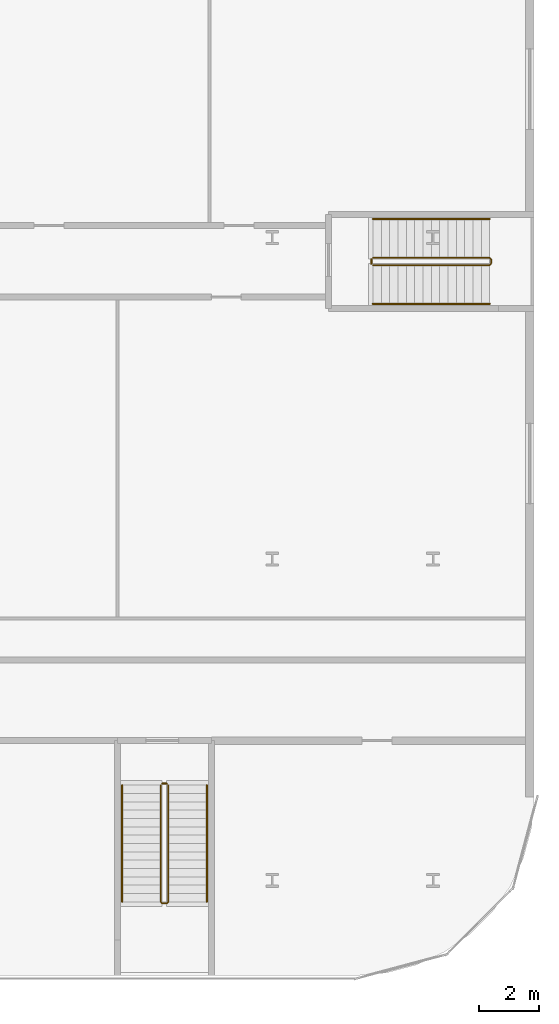
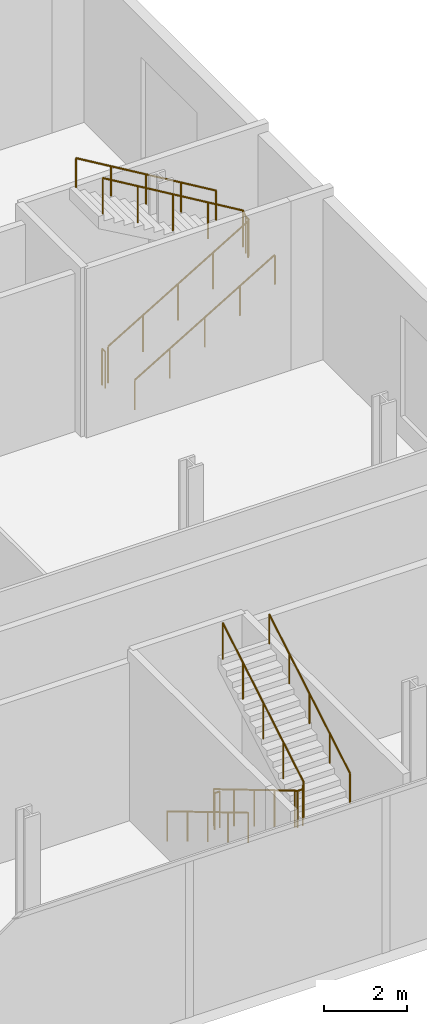
# One storey, part 41 of 47: 8 railings.
"""IFC4 building model written with IfcOpenShell, lengths in metres."""

from ifc_helpers import new_model, si_unit, direction, frame, origin, origin_2d, place, context, subcontext, project, spatial, circle, extrude, material, type_object, element, save


model = new_model("IFC4")

# Units and contexts
model_context = context("Model", 3, precision=1e-05, world=origin(), true_north=direction((0.0, 1.0)))
body_context = subcontext(model_context, "Body", "Model", "MODEL_VIEW")
ifc_project = project(units=[si_unit("LENGTHUNIT", "METRE"), si_unit("AREAUNIT", "SQUARE_METRE"), si_unit("VOLUMEUNIT", "CUBIC_METRE"), si_unit("PLANEANGLEUNIT", "RADIAN"), si_unit("MASSUNIT", "GRAM", prefix="KILO")], contexts=[model_context])

# Site, building, storey
site_placement = place(None, origin())
site = spatial("IfcSite", under=ifc_project, at=site_placement, CompositionType="ELEMENT")
building_placement = place(site_placement, origin())
building = spatial("IfcBuilding", under=site, at=building_placement, Name="Kheshtan School and Residences Tower", CompositionType="ELEMENT")
storey_placement = place(building_placement, frame((0.0, 0.0, 7.5)))
storey = spatial("IfcBuildingStorey", under=building, at=storey_placement, Name="L01", CompositionType="ELEMENT", Elevation=7.5)

# Railings
ifc_material_1 = material(Name="Stainless steel balustrade", Category="steel")
railing_type_1 = type_object("IfcRailingType", Name="Stair guard 1100", PredefinedType="GUARDRAIL", material=ifc_material_1)
railing_1_placement = place(storey_placement, frame((119.449951171875, 16.39990234375, 0.166748046875)))
element("IfcRailing", 1, at=railing_1_placement, inside=storey, type_object=railing_type_1, Name="L01 PS-118-010 stair guard 1", PredefinedType="GUARDRAIL", context=body_context, shape_type="SweptSolid", body=[
    extrude(circle(Radius=0.02392578125, at=origin_2d()), frame((0.0, 0.0, 1.076171875), z_axis=(0.0, -0.859296244711, 0.511478214419), x_axis=(1.0, 0.0, 0.0)), (0.0, 0.0, 1.0), 4.561767578125),
    extrude(circle(Radius=0.02392578125, at=origin_2d()), frame((0.0, -3.919921875, 3.4091796875), z_axis=(0.707106781187, -0.707106781187, 0.0), x_axis=(0.707106781187, 0.707106781187, 0.0)), (0.0, 0.0, 1.0), 0.07080078125),
    extrude(circle(Radius=0.02392578125, at=origin_2d()), frame((0.050048828125, -3.969970703125, 3.4091796875), z_axis=(1.0, 0.0, 0.0), x_axis=(0.0, 1.0, 0.0)), (0.0, 0.0, 1.0), 0.14990234375),
    extrude(circle(Radius=0.02392578125, at=origin_2d()), frame((0.199951171875, -3.969970703125, 3.4091796875), z_axis=(0.27628659633, 0.27628659633, 0.920506074601), x_axis=(-0.707106781187, 0.707106781187, 0.0)), (0.0, 0.0, 1.0), 0.18115234375),
    extrude(circle(Radius=0.02392578125, at=origin_2d()), frame((0.25, -3.919921875, 3.576171875), z_axis=(0.0, 0.859296244711, 0.511478214419), x_axis=(-1.0, 0.0, 0.0)), (0.0, 0.0, 1.0), 4.561767578125),
    extrude(circle(Radius=0.02099609375, at=origin_2d()), origin(), (0.0, 0.0, 1.0), 1.052001953125),
    extrude(circle(Radius=0.02099609375, at=origin_2d()), frame((0.0, -0.97998046875, 0.583251953125)), (0.0, 0.0, 1.0), 1.052001953125),
    extrude(circle(Radius=0.02099609375, at=origin_2d()), frame((0.0, -1.9599609375, 1.16650390625)), (0.0, 0.0, 1.0), 1.052001953125),
    extrude(circle(Radius=0.02099609375, at=origin_2d()), frame((0.0, -2.93994140625, 1.75)), (0.0, 0.0, 1.0), 1.052001953125),
    extrude(circle(Radius=0.02099609375, at=origin_2d()), frame((0.0, -3.919921875, 2.333251953125)), (0.0, 0.0, 1.0), 1.052001953125),
    extrude(circle(Radius=0.02099609375, at=origin_2d()), frame((0.050048828125, -3.969970703125, 2.333251953125)), (0.0, 0.0, 1.0), 1.052001953125),
    extrude(circle(Radius=0.02099609375, at=origin_2d()), frame((0.199951171875, -3.969970703125, 2.333251953125)), (0.0, 0.0, 1.0), 1.052001953125),
    extrude(circle(Radius=0.02099609375, at=origin_2d()), frame((0.25, -3.919921875, 2.5)), (0.0, 0.0, 1.0), 1.052001953125),
    extrude(circle(Radius=0.02099609375, at=origin_2d()), frame((0.25, -2.93994140625, 3.083251953125)), (0.0, 0.0, 1.0), 1.052001953125),
    extrude(circle(Radius=0.02099609375, at=origin_2d()), frame((0.25, -1.9599609375, 3.66650390625)), (0.0, 0.0, 1.0), 1.052001953125),
    extrude(circle(Radius=0.02099609375, at=origin_2d()), frame((0.25, -0.97998046875, 4.25)), (0.0, 0.0, 1.0), 1.052001953125),
    extrude(circle(Radius=0.02099609375, at=origin_2d()), frame((0.25, 0.0, 4.833251953125)), (0.0, 0.0, 1.0), 1.052001953125),
])
railing_2_placement = place(storey_placement, frame((119.5, 16.449951171875, 0.0)))
element("IfcRailing", 2, at=railing_2_placement, inside=storey, type_object=railing_type_1, Name="L01 PS-118-010 stair guard 2", PredefinedType="GUARDRAIL", context=body_context, shape_type="SweptSolid", body=[
    extrude(circle(Radius=0.02392578125, at=origin_2d()), frame((0.0, 0.0, 1.076171875), z_axis=(1.0, 0.0, 0.0), x_axis=(0.0, 1.0, 0.0)), (0.0, 0.0, 1.0), 0.14990234375),
    extrude(circle(Radius=0.02099609375, at=origin_2d()), origin(), (0.0, 0.0, 1.0), 1.052001953125),
    extrude(circle(Radius=0.02099609375, at=origin_2d()), frame((0.14990234375, 0.0, 0.0)), (0.0, 0.0, 1.0), 1.052001953125),
])
railing_3_placement = place(storey_placement, frame((126.580078125, 33.875, 0.166748046875)))
element("IfcRailing", 3, at=railing_3_placement, inside=storey, type_object=railing_type_1, Name="L01 PS-125-032 stair guard 1", PredefinedType="GUARDRAIL", context=body_context, shape_type="SweptSolid", body=[
    extrude(circle(Radius=0.02392578125, at=origin_2d()), frame((0.0, 0.0, 1.076171875), z_axis=(0.859296244711, 0.0, 0.511478214419), x_axis=(0.0, 1.0, 0.0)), (0.0, 0.0, 1.0), 4.561767578125),
    extrude(circle(Radius=0.02392578125, at=origin_2d()), frame((3.919921875, 0.0, 3.4091796875), z_axis=(0.707106781187, 0.707106781187, 0.0), x_axis=(-0.707106781187, 0.707106781187, 0.0)), (0.0, 0.0, 1.0), 0.07080078125),
    extrude(circle(Radius=0.02392578125, at=origin_2d()), frame((3.969970703125, 0.050048828125, 3.4091796875), z_axis=(0.0, 1.0, 0.0), x_axis=(-1.0, 0.0, 0.0)), (0.0, 0.0, 1.0), 0.14990234375),
    extrude(circle(Radius=0.02392578125, at=origin_2d()), frame((3.969970703125, 0.199951171875, 3.4091796875), z_axis=(-0.27628659633, 0.27628659633, 0.920506074601), x_axis=(-0.707106781187, -0.707106781187, 0.0)), (0.0, 0.0, 1.0), 0.18115234375),
    extrude(circle(Radius=0.02392578125, at=origin_2d()), frame((3.919921875, 0.25, 3.576171875), z_axis=(-0.859296244711, 0.0, 0.511478214419), x_axis=(0.0, -1.0, 0.0)), (0.0, 0.0, 1.0), 4.561767578125),
    extrude(circle(Radius=0.02099609375, at=origin_2d()), origin(), (0.0, 0.0, 1.0), 1.052001953125),
    extrude(circle(Radius=0.02099609375, at=origin_2d()), frame((0.97998046875, 0.0, 0.583251953125)), (0.0, 0.0, 1.0), 1.052001953125),
    extrude(circle(Radius=0.02099609375, at=origin_2d()), frame((1.9599609375, 0.0, 1.16650390625)), (0.0, 0.0, 1.0), 1.052001953125),
    extrude(circle(Radius=0.02099609375, at=origin_2d()), frame((2.93994140625, 0.0, 1.75)), (0.0, 0.0, 1.0), 1.052001953125),
    extrude(circle(Radius=0.02099609375, at=origin_2d()), frame((3.919921875, 0.0, 2.333251953125)), (0.0, 0.0, 1.0), 1.052001953125),
    extrude(circle(Radius=0.02099609375, at=origin_2d()), frame((3.969970703125, 0.050048828125, 2.333251953125)), (0.0, 0.0, 1.0), 1.052001953125),
    extrude(circle(Radius=0.02099609375, at=origin_2d()), frame((3.969970703125, 0.199951171875, 2.333251953125)), (0.0, 0.0, 1.0), 1.052001953125),
    extrude(circle(Radius=0.02099609375, at=origin_2d()), frame((3.919921875, 0.25, 2.5)), (0.0, 0.0, 1.0), 1.052001953125),
    extrude(circle(Radius=0.02099609375, at=origin_2d()), frame((2.93994140625, 0.25, 3.083251953125)), (0.0, 0.0, 1.0), 1.052001953125),
    extrude(circle(Radius=0.02099609375, at=origin_2d()), frame((1.9599609375, 0.25, 3.66650390625)), (0.0, 0.0, 1.0), 1.052001953125),
    extrude(circle(Radius=0.02099609375, at=origin_2d()), frame((0.97998046875, 0.25, 4.25)), (0.0, 0.0, 1.0), 1.052001953125),
    extrude(circle(Radius=0.02099609375, at=origin_2d()), frame((0.0, 0.25, 4.833251953125)), (0.0, 0.0, 1.0), 1.052001953125),
])
railing_4_placement = place(storey_placement, frame((126.530029296875, 33.925048828125, 0.0)))
element("IfcRailing", 4, at=railing_4_placement, inside=storey, type_object=railing_type_1, Name="L01 PS-125-032 stair guard 2", PredefinedType="GUARDRAIL", context=body_context, shape_type="SweptSolid", body=[
    extrude(circle(Radius=0.02392578125, at=origin_2d()), frame((0.0, 0.0, 1.076171875), z_axis=(0.0, 1.0, 0.0), x_axis=(-1.0, 0.0, 0.0)), (0.0, 0.0, 1.0), 0.14990234375),
    extrude(circle(Radius=0.02099609375, at=origin_2d()), origin(), (0.0, 0.0, 1.0), 1.052001953125),
    extrude(circle(Radius=0.02099609375, at=origin_2d()), frame((0.0, 0.14990234375, 0.0)), (0.0, 0.0, 1.0), 1.052001953125),
])
ifc_material_2 = material(Name="Stainless steel handrail", Category="steel")
railing_type_2 = type_object("IfcRailingType", Name="Stair handrail 900", PredefinedType="HANDRAIL", material=ifc_material_2)
railing_5_placement = place(storey_placement, frame((118.14990234375, 16.39990234375, 0.166748046875)))
element("IfcRailing", 5, at=railing_5_placement, inside=storey, type_object=railing_type_2, Name="L01 PS-118-010 stair handrail 1", PredefinedType="HANDRAIL", context=body_context, shape_type="SweptSolid", body=[
    extrude(circle(Radius=0.02392578125, at=origin_2d()), frame((0.0, 0.0, 0.8759765625), z_axis=(0.0, -0.859296244711, 0.511478214419), x_axis=(1.0, 0.0, 0.0)), (0.0, 0.0, 1.0), 4.561767578125),
    extrude(circle(Radius=0.02099609375, at=origin_2d()), origin(), (0.0, 0.0, 1.0), 0.851806640625),
    extrude(circle(Radius=0.02099609375, at=origin_2d()), frame((0.0, -0.97998046875, 0.583251953125)), (0.0, 0.0, 1.0), 0.851806640625),
    extrude(circle(Radius=0.02099609375, at=origin_2d()), frame((0.0, -1.9599609375, 1.16650390625)), (0.0, 0.0, 1.0), 0.851806640625),
    extrude(circle(Radius=0.02099609375, at=origin_2d()), frame((0.0, -2.93994140625, 1.75)), (0.0, 0.0, 1.0), 0.851806640625),
    extrude(circle(Radius=0.02099609375, at=origin_2d()), frame((0.0, -3.919921875, 2.333251953125)), (0.0, 0.0, 1.0), 0.851806640625),
])
railing_6_placement = place(storey_placement, frame((121.0, 12.47998046875, 2.666748046875)))
element("IfcRailing", 6, at=railing_6_placement, inside=storey, type_object=railing_type_2, Name="L01 PS-118-010 stair handrail 2", PredefinedType="HANDRAIL", context=body_context, shape_type="SweptSolid", body=[
    extrude(circle(Radius=0.02392578125, at=origin_2d()), frame((0.0, 0.0, 0.8759765625), z_axis=(0.0, 0.859296244711, 0.511478214419), x_axis=(-1.0, 0.0, 0.0)), (0.0, 0.0, 1.0), 4.561767578125),
    extrude(circle(Radius=0.02099609375, at=origin_2d()), origin(), (0.0, 0.0, 1.0), 0.851806640625),
    extrude(circle(Radius=0.02099609375, at=origin_2d()), frame((0.0, 0.97998046875, 0.583251953125)), (0.0, 0.0, 1.0), 0.851806640625),
    extrude(circle(Radius=0.02099609375, at=origin_2d()), frame((0.0, 1.9599609375, 1.16650390625)), (0.0, 0.0, 1.0), 0.851806640625),
    extrude(circle(Radius=0.02099609375, at=origin_2d()), frame((0.0, 2.93994140625, 1.75)), (0.0, 0.0, 1.0), 0.851806640625),
    extrude(circle(Radius=0.02099609375, at=origin_2d()), frame((0.0, 3.919921875, 2.333251953125)), (0.0, 0.0, 1.0), 0.851806640625),
])
railing_7_placement = place(storey_placement, frame((126.580078125, 32.574951171875, 0.166748046875)))
element("IfcRailing", 7, at=railing_7_placement, inside=storey, type_object=railing_type_2, Name="L01 PS-125-032 stair handrail 1", PredefinedType="HANDRAIL", context=body_context, shape_type="SweptSolid", body=[
    extrude(circle(Radius=0.02392578125, at=origin_2d()), frame((0.0, 0.0, 0.8759765625), z_axis=(0.859296244711, 0.0, 0.511478214419), x_axis=(0.0, 1.0, 0.0)), (0.0, 0.0, 1.0), 4.561767578125),
    extrude(circle(Radius=0.02099609375, at=origin_2d()), origin(), (0.0, 0.0, 1.0), 0.851806640625),
    extrude(circle(Radius=0.02099609375, at=origin_2d()), frame((0.97998046875, 0.0, 0.583251953125)), (0.0, 0.0, 1.0), 0.851806640625),
    extrude(circle(Radius=0.02099609375, at=origin_2d()), frame((1.9599609375, 0.0, 1.16650390625)), (0.0, 0.0, 1.0), 0.851806640625),
    extrude(circle(Radius=0.02099609375, at=origin_2d()), frame((2.93994140625, 0.0, 1.75)), (0.0, 0.0, 1.0), 0.851806640625),
    extrude(circle(Radius=0.02099609375, at=origin_2d()), frame((3.919921875, 0.0, 2.333251953125)), (0.0, 0.0, 1.0), 0.851806640625),
])
railing_8_placement = place(storey_placement, frame((130.5, 35.425048828125, 2.666748046875)))
element("IfcRailing", 8, at=railing_8_placement, inside=storey, type_object=railing_type_2, Name="L01 PS-125-032 stair handrail 2", PredefinedType="HANDRAIL", context=body_context, shape_type="SweptSolid", body=[
    extrude(circle(Radius=0.02392578125, at=origin_2d()), frame((0.0, 0.0, 0.8759765625), z_axis=(-0.859296244711, 0.0, 0.511478214419), x_axis=(0.0, -1.0, 0.0)), (0.0, 0.0, 1.0), 4.561767578125),
    extrude(circle(Radius=0.02099609375, at=origin_2d()), origin(), (0.0, 0.0, 1.0), 0.851806640625),
    extrude(circle(Radius=0.02099609375, at=origin_2d()), frame((-0.97998046875, 0.0, 0.583251953125)), (0.0, 0.0, 1.0), 0.851806640625),
    extrude(circle(Radius=0.02099609375, at=origin_2d()), frame((-1.9599609375, 0.0, 1.16650390625)), (0.0, 0.0, 1.0), 0.851806640625),
    extrude(circle(Radius=0.02099609375, at=origin_2d()), frame((-2.93994140625, 0.0, 1.75)), (0.0, 0.0, 1.0), 0.851806640625),
    extrude(circle(Radius=0.02099609375, at=origin_2d()), frame((-3.919921875, 0.0, 2.333251953125)), (0.0, 0.0, 1.0), 0.851806640625),
])

save(model, "model.ifc")
